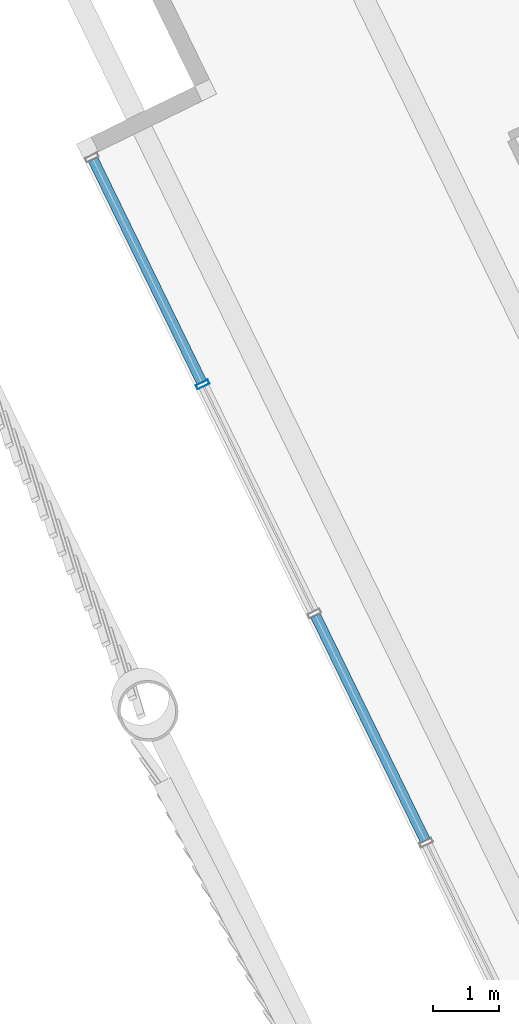
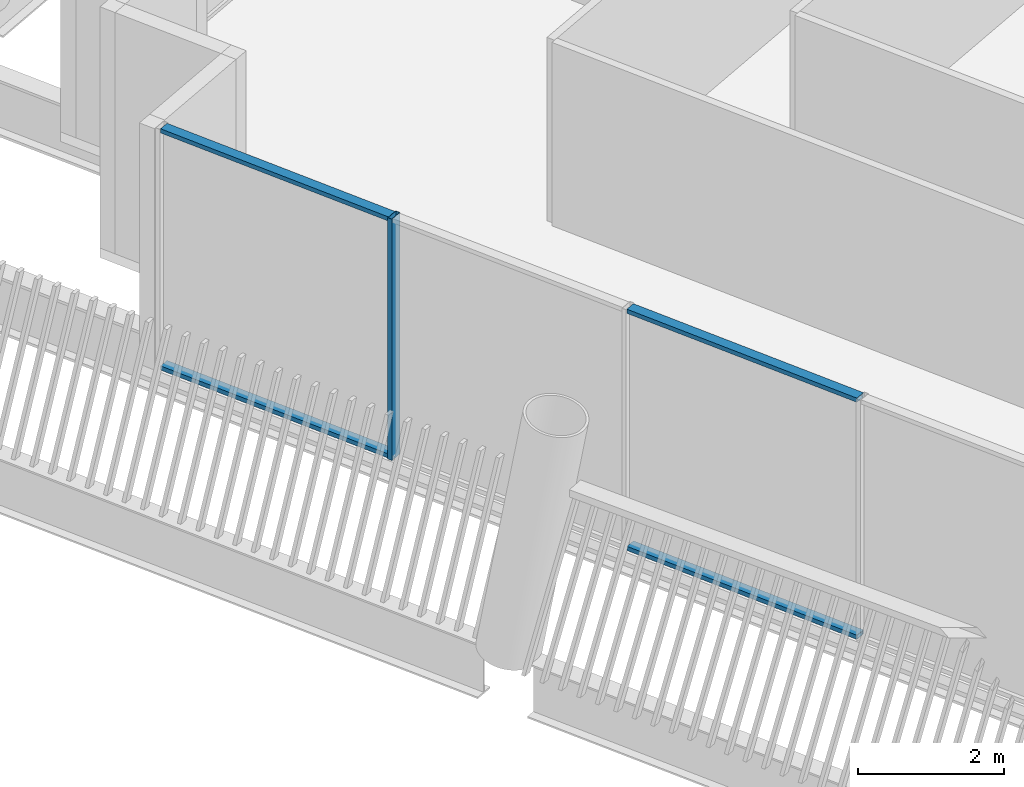
# One storey, part 4 of 31: 5 members, 1 element without a shape of its own.
"""IFC4 building model written with IfcOpenShell, lengths in metres."""

from ifc_helpers import new_model, si_unit, direction, frame, origin, origin_2d, place, context, subcontext, project, spatial, hollow_rectangle, extrude, material, layer, layer_set, material_profile, profile_set, type_object, element, aggregate, save


model = new_model("IFC4")

# Units and contexts
model_context = context("Model", 3, precision=1e-05, world=origin(), true_north=direction((0.0, 1.0)))
body_context = subcontext(model_context, "Body", "Model", "MODEL_VIEW")
ifc_project = project(units=[si_unit("LENGTHUNIT", "METRE"), si_unit("AREAUNIT", "SQUARE_METRE"), si_unit("VOLUMEUNIT", "CUBIC_METRE"), si_unit("PLANEANGLEUNIT", "RADIAN"), si_unit("MASSUNIT", "GRAM", prefix="KILO")], contexts=[model_context])

# Site, building, storey
site_placement = place(None, origin())
site = spatial("IfcSite", under=ifc_project, at=site_placement, CompositionType="ELEMENT")
building_placement = place(site_placement, origin())
building = spatial("IfcBuilding", under=site, at=building_placement, Name="Tarsis Ring Headquarters", CompositionType="ELEMENT")
storey_placement = place(building_placement, frame((0.0, 0.0, 390.199951171875)))
storey = spatial("IfcBuildingStorey", under=building, at=storey_placement, Name="L92", CompositionType="ELEMENT", Elevation=390.199951171875)

# Curtain wall, members
ifc_material_1 = material(Name="Aluminium curtain wall", Category="aluminium")
ifc_layer = layer(ifc_material_1, 0.199951171875)
ifc_layer_set = layer_set([ifc_layer], Name="Curtain wall executive tip")
curtain_wall_type = type_object("IfcCurtainWallType", Name="Curtain wall executive tip", PredefinedType="NOTDEFINED", material=ifc_layer_set)
curtain_wall_placement = place(storey_placement, origin())
curtain_wall = element("IfcCurtainWall", 1, at=curtain_wall_placement, inside=storey, type_object=curtain_wall_type, Name="Curtain wall L92-36", PredefinedType="NOTDEFINED")
ifc_material_2 = material(Name="Aluminium mullion", Category="aluminium")
ifc_material_profile_1 = material_profile(ifc_material_2, hollow_rectangle(XDim=0.199951171875, YDim=0.070068359375, WallThickness=0.0048828125, at=origin_2d()), Name="RHS 200x70x5")
ifc_profile_set_1 = profile_set([ifc_material_profile_1], Name="Aluminium mullion")
member_type_1 = type_object("IfcMemberType", Name="Curtain wall mullion executive tip RHS 200x70x5", PredefinedType="MULLION", material=ifc_profile_set_1)
member_1_placement = place(storey_placement, frame((-37.5380859375, -13.997314453125, 0.0), z_axis=(0.0, 0.0, 1.0), x_axis=(0.898794031686, 0.438371176751, 0.0)))
member_1 = element("IfcMember", 2, at=member_1_placement, type_object=member_type_1, Name="CW-E mullion 2", PredefinedType="MULLION", context=body_context, shape_type="SweptSolid", body=[
    extrude(hollow_rectangle(XDim=0.199951171875, YDim=0.070068359375, WallThickness=0.0048828125, at=origin_2d()), origin(), (0.0, 0.0, 1.0), 4.0400390625),
])
ifc_material_3 = material(Name="Aluminium transom", Category="aluminium")
ifc_material_profile_2 = material_profile(ifc_material_3, hollow_rectangle(XDim=0.159912109375, YDim=0.070068359375, WallThickness=0.0048828125, at=origin_2d()), Name="RHS 160x70x5")
ifc_profile_set_2 = profile_set([ifc_material_profile_2], Name="Aluminium transom")
member_type_2 = type_object("IfcMemberType", Name="Curtain wall transom executive tip RHS 160x70x5", PredefinedType="USERDEFINED", material=ifc_profile_set_2)
member_2_placement = place(storey_placement, frame((-39.2060546875, -10.577392578125, 0.03515625), z_axis=(0.438358559955, -0.898800185199, 0.0), x_axis=(0.898800185199, 0.438358559955, 0.0)))
member_2 = element("IfcMember", 3, at=member_2_placement, type_object=member_type_2, Name="CW-E transom 1.1", ObjectType="TRANSOM", PredefinedType="USERDEFINED", context=body_context, shape_type="SweptSolid", body=[
    extrude(hollow_rectangle(XDim=0.159912109375, YDim=0.070068359375, WallThickness=0.0048828125, at=origin_2d()), origin(), (0.0, 0.0, 1.0), 3.77001953125),
])
member_3_placement = place(storey_placement, frame((-39.2060546875, -10.577392578125, 4.005126953125), z_axis=(0.438358559955, -0.898800185199, 0.0), x_axis=(0.898800185199, 0.438358559955, 0.0)))
member_3 = element("IfcMember", 4, at=member_3_placement, type_object=member_type_2, Name="CW-E transom 1.2", ObjectType="TRANSOM", PredefinedType="USERDEFINED", context=body_context, shape_type="SweptSolid", body=[
    extrude(hollow_rectangle(XDim=0.159912109375, YDim=0.070068359375, WallThickness=0.0048828125, at=origin_2d()), origin(), (0.0, 0.0, 1.0), 3.77001953125),
])
member_4_placement = place(storey_placement, frame((-35.823974609375, -17.511474609375, 0.03515625), z_axis=(0.438362951941, -0.898798043148, 0.0), x_axis=(0.898798043148, 0.438362951941, 0.0)))
member_4 = element("IfcMember", 5, at=member_4_placement, type_object=member_type_2, Name="CW-E transom 3.1", ObjectType="TRANSOM", PredefinedType="USERDEFINED", context=body_context, shape_type="SweptSolid", body=[
    extrude(hollow_rectangle(XDim=0.159912109375, YDim=0.070068359375, WallThickness=0.0048828125, at=origin_2d()), origin(), (0.0, 0.0, 1.0), 3.804931640625),
])
member_5_placement = place(storey_placement, frame((-35.823974609375, -17.511474609375, 4.005126953125), z_axis=(0.438362951941, -0.898798043148, 0.0), x_axis=(0.898798043148, 0.438362951941, 0.0)))
member_5 = element("IfcMember", 6, at=member_5_placement, type_object=member_type_2, Name="CW-E transom 3.2", ObjectType="TRANSOM", PredefinedType="USERDEFINED", context=body_context, shape_type="SweptSolid", body=[
    extrude(hollow_rectangle(XDim=0.159912109375, YDim=0.070068359375, WallThickness=0.0048828125, at=origin_2d()), origin(), (0.0, 0.0, 1.0), 3.804931640625),
])
aggregate(curtain_wall, [member_1, member_2, member_3, member_4, member_5])

save(model, "model.ifc")
